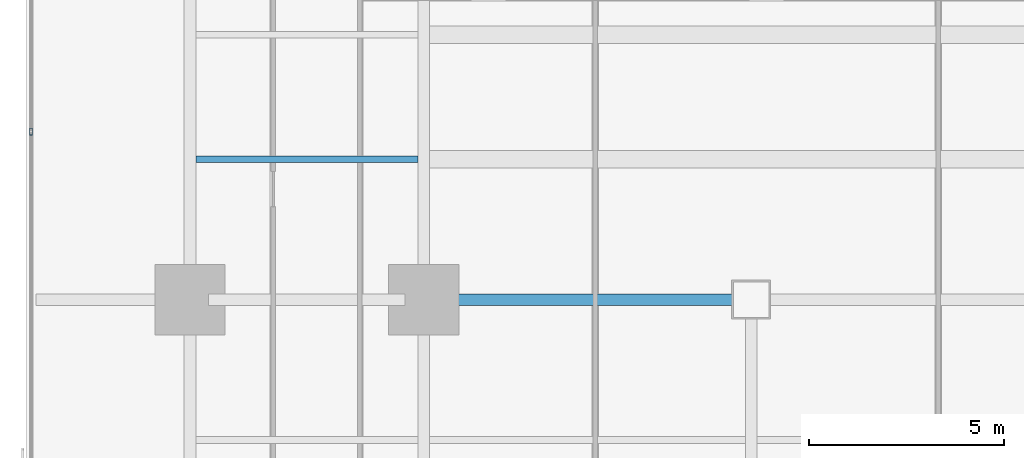
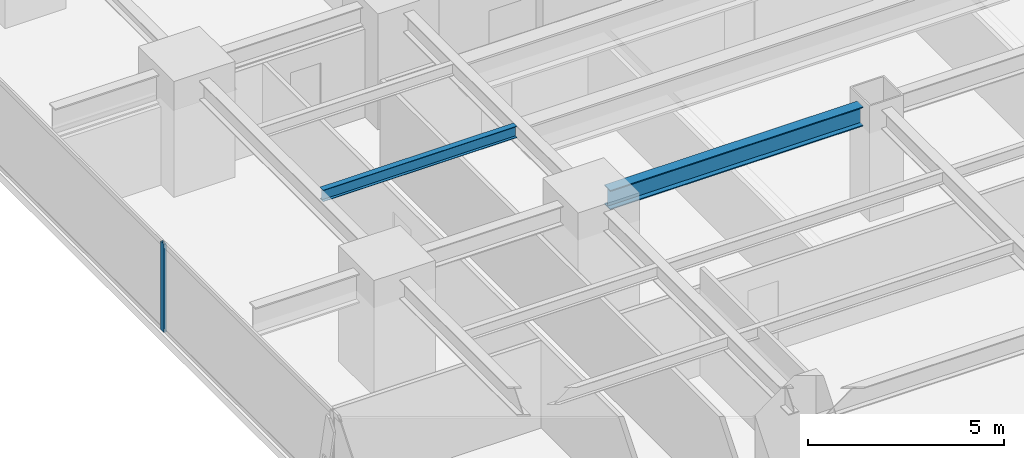
# One storey, part 9 of 33: 2 beams, 1 member, 1 element without a shape of its own.
"""IFC4 building model written with IfcOpenShell, lengths in metres."""

from ifc_helpers import new_model, si_unit, direction, frame, origin, origin_2d, place, context, subcontext, project, spatial, hollow_rectangle, i_section, extrude, source, transform, mapped, material, layer, layer_set, material_profile, profile_set, type_object, element, aggregate, save


model = new_model("IFC4")

# Units and contexts
model_context = context("Model", 3, precision=1e-05, world=origin(), true_north=direction((0.0, 1.0)))
body_context = subcontext(model_context, "Body", "Model", "MODEL_VIEW")
ifc_project = project(units=[si_unit("LENGTHUNIT", "METRE"), si_unit("AREAUNIT", "SQUARE_METRE"), si_unit("VOLUMEUNIT", "CUBIC_METRE"), si_unit("PLANEANGLEUNIT", "RADIAN"), si_unit("MASSUNIT", "GRAM", prefix="KILO")], contexts=[model_context])

# Site, building, storey
site_placement = place(None, origin())
site = spatial("IfcSite", under=ifc_project, at=site_placement, CompositionType="ELEMENT")
building_placement = place(site_placement, origin())
building = spatial("IfcBuilding", under=site, at=building_placement, Name="Sumidabori Civic Tower", CompositionType="ELEMENT")
storey_placement = place(building_placement, frame((0.0, 0.0, 30.800048828125)))
storey = spatial("IfcBuildingStorey", under=building, at=storey_placement, Name="L07", CompositionType="ELEMENT", Elevation=30.800048828125)

# Beams
ifc_material_1 = material(Name="Steel SN490", Category="steel")
ifc_material_profile_1 = material_profile(ifc_material_1, i_section(OverallWidth=0.300048828125, OverallDepth=0.60009765625, WebThickness=0.015380859375, FlangeThickness=0.030029296875, at=origin_2d()), Name="HE 600 B")
ifc_profile_set_1 = profile_set([ifc_material_profile_1], Name="Steel SN490")
beam_type_1 = type_object("IfcBeamType", Name="BM-GIRD-600", PredefinedType="BEAM", material=ifc_profile_set_1)
shared_shape_1 = source(origin(), body_context, "Body", "SweptSolid", [
    extrude(i_section(OverallWidth=0.300048828125, OverallDepth=0.60009765625, WebThickness=0.015380859375, FlangeThickness=0.030029296875, at=origin_2d()), origin(), (0.0, 0.0, 1.0), 7.440185546875),
])
beam_1_placement = place(storey_placement, frame((-16.320068359375, 0.0, 3.06005859375), z_axis=(1.0, 0.0, 0.0), x_axis=(0.0, 1.0, 0.0)))
element("IfcBeam", 1, at=beam_1_placement, inside=storey, type_object=beam_type_1, Name="Primary Girder L07 GX-14", PredefinedType="BEAM", context=body_context, shape_type="MappedRepresentation", body=[
    mapped(shared_shape_1, transform((0.0, 0.0, 0.0), x_axis=(1.0, 0.0, 0.0), y_axis=(0.0, 1.0, 0.0), z_axis=(0.0, 0.0, 1.0), scale=1.0)),
])
ifc_material_profile_2 = material_profile(ifc_material_1, i_section(OverallWidth=0.169921875, OverallDepth=0.360107421875, WebThickness=0.008056640625, FlangeThickness=0.0126953125, at=origin_2d()), Name="IPE 360")
ifc_profile_set_2 = profile_set([ifc_material_profile_2], Name="Steel SN490")
beam_type_2 = type_object("IfcBeamType", Name="BM-JST-360", PredefinedType="JOIST", material=ifc_profile_set_2)
shared_shape_2 = source(origin(), body_context, "Body", "SweptSolid", [
    extrude(i_section(OverallWidth=0.169921875, OverallDepth=0.360107421875, WebThickness=0.008056640625, FlangeThickness=0.0126953125, at=origin_2d()), origin(), (0.0, 0.0, 1.0), 5.699951171875),
])
beam_2_placement = place(storey_placement, frame((-22.64990234375, 3.60009765625, 3.179931640625), z_axis=(1.0, 0.0, 0.0), x_axis=(0.0, 1.0, 0.0)))
element("IfcBeam", 2, at=beam_2_placement, inside=storey, type_object=beam_type_2, Name="Outer Bay Floor Joist L07 JSTO-53", PredefinedType="JOIST", context=body_context, shape_type="MappedRepresentation", body=[
    mapped(shared_shape_2, transform((0.0, 0.0, 0.0), x_axis=(1.0, 0.0, 0.0), y_axis=(0.0, 1.0, 0.0), z_axis=(0.0, 0.0, 1.0), scale=1.0)),
])

# Curtain wall, member
ifc_material_2 = material(Name="Anodised Bronze Aluminium AW-6063-T6", Category="aluminium")
ifc_layer = layer(ifc_material_2, 0.179931640625, Name="Anodised Bronze Aluminium AW-6063-T6")
ifc_layer_set = layer_set([ifc_layer], Name="Anodised Bronze Aluminium AW-6063-T6")
curtain_wall_type = type_object("IfcCurtainWallType", Name="CW-SYS-2", PredefinedType="NOTDEFINED", material=ifc_layer_set)
curtain_wall_placement = place(storey_placement, origin())
curtain_wall = element("IfcCurtainWall", 3, at=curtain_wall_placement, inside=storey, type_object=curtain_wall_type, Name="Curtain Wall CW:L07:R10", PredefinedType="NOTDEFINED")
ifc_material_profile_3 = material_profile(ifc_material_2, hollow_rectangle(XDim=0.070068359375, YDim=0.179931640625, WallThickness=0.006103515625, at=origin_2d()), Name="ALU MULLION 180x70")
ifc_profile_set_3 = profile_set([ifc_material_profile_3], Name="Anodised Bronze Aluminium AW-6063-T6")
member_type = type_object("IfcMemberType", Name="CW-MUL-180", PredefinedType="MULLION", material=ifc_profile_set_3)
shared_shape_3 = source(origin(), body_context, "Body", "SweptSolid", [
    extrude(hollow_rectangle(XDim=0.070068359375, YDim=0.179931640625, WallThickness=0.006103515625, at=origin_2d()), origin(), (0.0, 0.0, 1.0), 2.739990234375),
])
member_placement = place(storey_placement, frame((-26.8798828125, 4.31396484375, 0.0), z_axis=(0.0, 0.0, 1.0), x_axis=(1.0, 0.0, 0.0)))
member = element("IfcMember", 4, at=member_placement, type_object=member_type, Name="CW-2 mullion 3", PredefinedType="MULLION", context=body_context, shape_type="MappedRepresentation", body=[
    mapped(shared_shape_3, transform((0.0, 0.0, 0.0), x_axis=(1.0, 0.0, 0.0), y_axis=(0.0, 1.0, 0.0), z_axis=(0.0, 0.0, 1.0), scale=1.0)),
])
aggregate(curtain_wall, [member])

save(model, "model.ifc")
